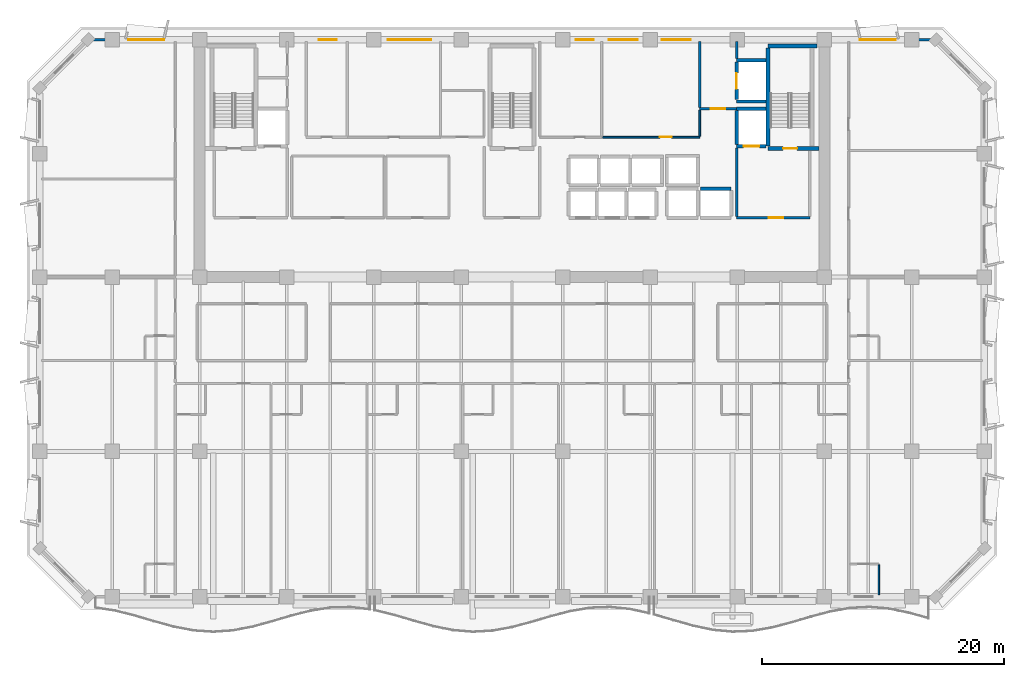
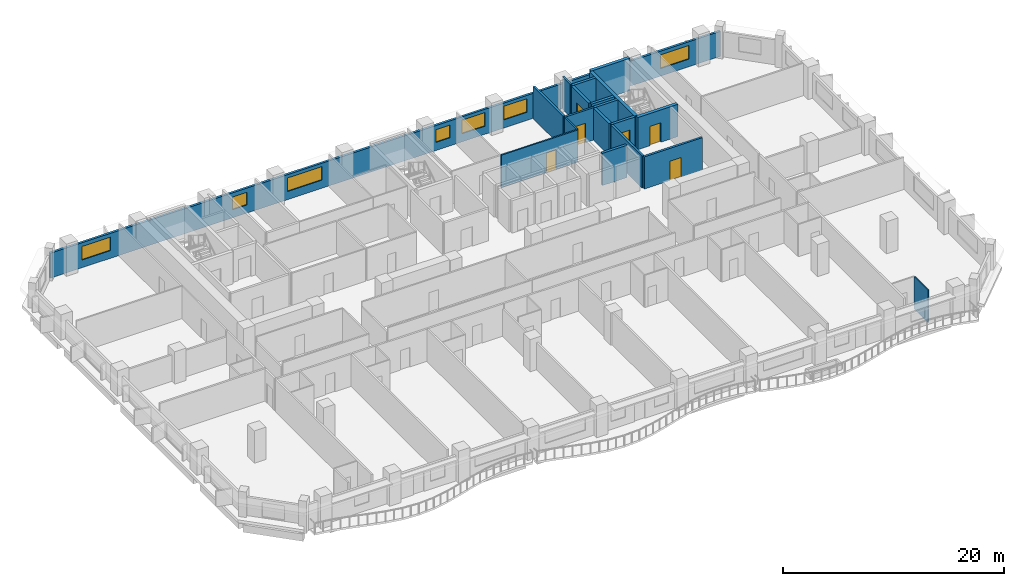
# One storey, part 8 of 15: 19 walls, 7 windows, 6 doors, 13 openings.
"""IFC4 building model written with IfcOpenShell, lengths in metres."""

from ifc_helpers import new_model, si_unit, direction, frame, frame_2d, origin, place, context, subcontext, project, spatial, rectangle, extrude, material, layer, layer_set, type_object, element, fill, save


model = new_model("IFC4")

# Units and contexts
model_context = context("Model", 3, precision=1e-05, world=origin(), true_north=direction((0.0, 1.0)))
body_context = subcontext(model_context, "Body", "Model", "MODEL_VIEW")
ifc_project = project(units=[si_unit("LENGTHUNIT", "METRE"), si_unit("AREAUNIT", "SQUARE_METRE"), si_unit("VOLUMEUNIT", "CUBIC_METRE"), si_unit("PLANEANGLEUNIT", "RADIAN"), si_unit("MASSUNIT", "GRAM", prefix="KILO")], contexts=[model_context])

# Site, building, storey
site_placement = place(None, origin())
site = spatial("IfcSite", under=ifc_project, at=site_placement, CompositionType="ELEMENT")
building_placement = place(site_placement, origin())
building = spatial("IfcBuilding", under=site, at=building_placement, Name="Kaelvorn Grand Hotel", CompositionType="ELEMENT")
storey_placement = place(building_placement, frame((0.0, 0.0, 177.14990234375)))
storey = spatial("IfcBuildingStorey", under=building, at=storey_placement, Name="L43", CompositionType="ELEMENT", Elevation=177.14990234375)

# Wall, openings, windows
ifc_material_1 = material(Name="Concrete C40/50", Category="concrete")
ifc_layer_1 = layer(ifc_material_1, 0.239990234375)
ifc_layer_set_1 = layer_set([ifc_layer_1], Name="Concrete C40/50")
wall_type_1 = type_object("IfcWallType", Name="WL-EXT-240-C40", PredefinedType="SOLIDWALL", material=ifc_layer_set_1)
wall_1_placement = place(storey_placement, frame((77.0, 49.0, 0.0), z_axis=(0.0, 0.0, 1.0), x_axis=(-1.0, 0.0, 0.0)))
wall_1 = element("IfcWall", 1, at=wall_1_placement, inside=storey, type_object=wall_type_1, Name="L43 Exterior Architectural Concrete Wall 05", PredefinedType="SOLIDWALL", context=body_context, shape_type="SweptSolid", body=[
    extrude(rectangle(XDim=70.0, YDim=0.239990234375, at=frame_2d((35.0, 0.0))), origin(), (0.0, 0.0, 1.0), 2.760009765625),
])
opening_1_placement = place(wall_1_placement, frame((63.699951171875, 0.0, 0.85009765625)))
opening_1 = element("IfcOpeningElement", 2, at=opening_1_placement, cuts=wall_1, Name="Opening W5", PredefinedType="OPENING", context=body_context, shape_type="SweptSolid", body=[
    extrude(rectangle(XDim=3.0, YDim=1.5, at=frame_2d((1.5, 0.75))), frame((0.0, 0.1298828125, 0.0), z_axis=(0.0, -1.0, 0.0), x_axis=(1.0, 0.0, 0.0)), (0.0, 0.0, 1.0), 0.260009765625),
])
opening_2_placement = place(wall_1_placement, frame((3.300048828125, 0.0, 0.85009765625)))
opening_2 = element("IfcOpeningElement", 3, at=opening_2_placement, cuts=wall_1, Name="Opening W5", PredefinedType="OPENING", context=body_context, shape_type="SweptSolid", body=[
    extrude(rectangle(XDim=3.0, YDim=1.5, at=frame_2d((1.5, 0.75))), frame((0.0, 0.1298828125, 0.0), z_axis=(0.0, -1.0, 0.0), x_axis=(1.0, 0.0, 0.0)), (0.0, 0.0, 1.0), 0.260009765625),
])
opening_3_placement = place(wall_1_placement, frame((49.465087890625, 0.0, 0.89990234375)))
opening_3 = element("IfcOpeningElement", 4, at=opening_3_placement, cuts=wall_1, Name="Opening W10", PredefinedType="OPENING", context=body_context, shape_type="SweptSolid", body=[
    extrude(rectangle(XDim=1.5, YDim=1.39990234375, at=frame_2d((0.75, 0.699951171875))), frame((0.0, 0.1298828125, 0.0), z_axis=(0.0, -1.0, 0.0), x_axis=(1.0, 0.0, 0.0)), (0.0, 0.0, 1.0), 0.260009765625),
])
opening_4_placement = place(wall_1_placement, frame((41.64990234375, 0.0, 0.89990234375)))
opening_4 = element("IfcOpeningElement", 5, at=opening_4_placement, cuts=wall_1, Name="Opening W3", PredefinedType="OPENING", context=body_context, shape_type="SweptSolid", body=[
    extrude(rectangle(XDim=3.60009765625, YDim=1.5, at=frame_2d((1.800048828125, 0.75))), frame((0.0, 0.1298828125, 0.0), z_axis=(0.0, -1.0, 0.0), x_axis=(1.0, 0.0, 0.0)), (0.0, 0.0, 1.0), 0.260009765625),
])
opening_5_placement = place(wall_1_placement, frame((28.25, 0.0, 0.89990234375)))
opening_5 = element("IfcOpeningElement", 6, at=opening_5_placement, cuts=wall_1, Name="Opening W10", PredefinedType="OPENING", context=body_context, shape_type="SweptSolid", body=[
    extrude(rectangle(XDim=1.5, YDim=1.39990234375, at=frame_2d((0.75, 0.699951171875))), frame((0.0, 0.1298828125, 0.0), z_axis=(0.0, -1.0, 0.0), x_axis=(1.0, 0.0, 0.0)), (0.0, 0.0, 1.0), 0.260009765625),
])
opening_6_placement = place(wall_1_placement, frame((24.60009765625, 0.0, 0.89990234375)))
opening_6 = element("IfcOpeningElement", 7, at=opening_6_placement, cuts=wall_1, Name="Opening W6", PredefinedType="OPENING", context=body_context, shape_type="SweptSolid", body=[
    extrude(rectangle(XDim=2.39990234375, YDim=1.5, at=frame_2d((1.199951171875, 0.75))), frame((0.0, 0.1298828125, 0.0), z_axis=(0.0, -1.0, 0.0), x_axis=(1.0, 0.0, 0.0)), (0.0, 0.0, 1.0), 0.260009765625),
])
opening_7_placement = place(wall_1_placement, frame((20.235107421875, 0.0, 0.89990234375)))
opening_7 = element("IfcOpeningElement", 8, at=opening_7_placement, cuts=wall_1, Name="Opening W6", PredefinedType="OPENING", context=body_context, shape_type="SweptSolid", body=[
    extrude(rectangle(XDim=2.39990234375, YDim=1.5, at=frame_2d((1.199951171875, 0.75))), frame((0.0, 0.1298828125, 0.0), z_axis=(0.0, -1.0, 0.0), x_axis=(1.0, 0.0, 0.0)), (0.0, 0.0, 1.0), 0.260009765625),
])
ifc_material_2 = material(Name="Laminated Low-E Glass", Category="glass")
window_type_1 = type_object("IfcWindowType", Name="WIN-COR-1500x1400", PartitioningType="SINGLE_PANEL", PredefinedType="WINDOW", material=ifc_material_2)
window_1_placement = place(opening_3_placement, origin())
window_1 = element("IfcWindow", 9, at=window_1_placement, inside=storey, type_object=window_type_1, Name="L43 North Core Clerestory Ribbon Window NC03", OverallHeight=1.39990234375, OverallWidth=1.5, PartitioningType="SINGLE_PANEL", PredefinedType="WINDOW", context=body_context, shape_type="SweptSolid", body=[
    extrude(rectangle(XDim=1.5, YDim=1.39990234375, at=frame_2d((0.75, 0.699951171875))), frame((0.0, 0.030029296875, 0.0), z_axis=(0.0, -1.0, 0.0), x_axis=(1.0, 0.0, 0.0)), (0.0, 0.0, 1.0), 0.06005859375),
])
fill(opening_3, window_1)
window_2_placement = place(opening_5_placement, origin())
window_2 = element("IfcWindow", 10, at=window_2_placement, inside=storey, type_object=window_type_1, Name="L43 North Core Clerestory Ribbon Window NC05", OverallHeight=1.39990234375, OverallWidth=1.5, PartitioningType="SINGLE_PANEL", PredefinedType="WINDOW", context=body_context, shape_type="SweptSolid", body=[
    extrude(rectangle(XDim=1.5, YDim=1.39990234375, at=frame_2d((0.75, 0.699951171875))), frame((0.0, 0.030029296875, 0.0), z_axis=(0.0, -1.0, 0.0), x_axis=(1.0, 0.0, 0.0)), (0.0, 0.0, 1.0), 0.06005859375),
])
fill(opening_5, window_2)
window_type_2 = type_object("IfcWindowType", Name="WIN-NTH-2400x1500", PartitioningType="SINGLE_PANEL", PredefinedType="WINDOW", material=ifc_material_2)
window_3_placement = place(opening_6_placement, origin())
window_3 = element("IfcWindow", 11, at=window_3_placement, inside=storey, type_object=window_type_2, Name="L43 North Core Clerestory Ribbon Window NC06", OverallHeight=1.5, OverallWidth=2.39990234375, PartitioningType="SINGLE_PANEL", PredefinedType="WINDOW", context=body_context, shape_type="SweptSolid", body=[
    extrude(rectangle(XDim=2.39990234375, YDim=1.5, at=frame_2d((1.199951171875, 0.75))), frame((0.0, 0.030029296875, 0.0), z_axis=(0.0, -1.0, 0.0), x_axis=(1.0, 0.0, 0.0)), (0.0, 0.0, 1.0), 0.06005859375),
])
fill(opening_6, window_3)
window_4_placement = place(opening_7_placement, origin())
window_4 = element("IfcWindow", 12, at=window_4_placement, inside=storey, type_object=window_type_2, Name="L43 North Core Clerestory Ribbon Window NC07", OverallHeight=1.5, OverallWidth=2.39990234375, PartitioningType="SINGLE_PANEL", PredefinedType="WINDOW", context=body_context, shape_type="SweptSolid", body=[
    extrude(rectangle(XDim=2.39990234375, YDim=1.5, at=frame_2d((1.199951171875, 0.75))), frame((0.0, 0.030029296875, 0.0), z_axis=(0.0, -1.0, 0.0), x_axis=(1.0, 0.0, 0.0)), (0.0, 0.0, 1.0), 0.06005859375),
])
fill(opening_7, window_4)
window_type_3 = type_object("IfcWindowType", Name="WIN-NTH-3000x1500", PartitioningType="SINGLE_PANEL", PredefinedType="WINDOW", material=ifc_material_2)
window_5_placement = place(opening_1_placement, origin())
window_5 = element("IfcWindow", 13, at=window_5_placement, inside=storey, type_object=window_type_3, Name="L43 North Wing Ribbon Window NW01", OverallHeight=1.5, OverallWidth=3.0, PartitioningType="SINGLE_PANEL", PredefinedType="WINDOW", context=body_context, shape_type="SweptSolid", body=[
    extrude(rectangle(XDim=3.0, YDim=1.5, at=frame_2d((1.5, 0.75))), frame((0.0, 0.030029296875, 0.0), z_axis=(0.0, -1.0, 0.0), x_axis=(1.0, 0.0, 0.0)), (0.0, 0.0, 1.0), 0.06005859375),
])
fill(opening_1, window_5)
window_6_placement = place(opening_2_placement, origin())
window_6 = element("IfcWindow", 14, at=window_6_placement, inside=storey, type_object=window_type_3, Name="L43 North Wing Ribbon Window NW02", OverallHeight=1.5, OverallWidth=3.0, PartitioningType="SINGLE_PANEL", PredefinedType="WINDOW", context=body_context, shape_type="SweptSolid", body=[
    extrude(rectangle(XDim=3.0, YDim=1.5, at=frame_2d((1.5, 0.75))), frame((0.0, 0.030029296875, 0.0), z_axis=(0.0, -1.0, 0.0), x_axis=(1.0, 0.0, 0.0)), (0.0, 0.0, 1.0), 0.06005859375),
])
fill(opening_2, window_6)
window_type_4 = type_object("IfcWindowType", Name="WIN-RIB-3600x1750", PartitioningType="SINGLE_PANEL", PredefinedType="WINDOW", material=ifc_material_2)
window_7_placement = place(opening_4_placement, origin())
window_7 = element("IfcWindow", 15, at=window_7_placement, inside=storey, type_object=window_type_4, Name="L43 North Core Clerestory Ribbon Window NC04", OverallHeight=1.5, OverallWidth=3.60009765625, PartitioningType="SINGLE_PANEL", PredefinedType="WINDOW", context=body_context, shape_type="SweptSolid", body=[
    extrude(rectangle(XDim=3.60009765625, YDim=1.5, at=frame_2d((1.800048828125, 0.75))), frame((0.0, 0.030029296875, 0.0), z_axis=(0.0, -1.0, 0.0), x_axis=(1.0, 0.0, 0.0)), (0.0, 0.0, 1.0), 0.06005859375),
])
fill(opening_4, window_7)

# Wall
ifc_material_3 = material(Name="Moisture-Resistant Tile & Stud Board")
ifc_layer_2 = layer(ifc_material_3, 0.125)
ifc_layer_set_2 = layer_set([ifc_layer_2], Name="Moisture-Resistant Tile & Stud Board")
wall_type_2 = type_object("IfcWallType", Name="WL-PART-125-WET", PredefinedType="PARTITIONING", material=ifc_layer_set_2)
wall_2_placement = place(storey_placement, frame((72.300048828125, 3.14990234375, 0.0), z_axis=(0.0, 0.0, 1.0), x_axis=(0.0, 1.0, 0.0)))
element("IfcWall", 16, at=wall_2_placement, inside=storey, type_object=wall_type_2, Name="L43 En-suite Bathroom L43-10 E Partition", PredefinedType="PARTITIONING", context=body_context, shape_type="SweptSolid", body=[
    extrude(rectangle(XDim=2.482666015625, YDim=0.125, at=frame_2d((1.2412109375, 0.0))), origin(), (0.0, 0.0, 1.0), 3.56005859375),
])

# Wall, opening, door
ifc_material_4 = material(Name="Acoustic Gypsum & Stud Partition")
ifc_layer_3 = layer(ifc_material_4, 0.14990234375)
ifc_layer_set_3 = layer_set([ifc_layer_3], Name="Acoustic Gypsum & Stud Partition")
wall_type_3 = type_object("IfcWallType", Name="WL-PART-150-EI60", PredefinedType="PARTITIONING", material=ifc_layer_set_3)
wall_3_placement = place(storey_placement, frame((49.47998046875, 40.949951171875, 0.0), z_axis=(0.0, 0.0, 1.0), x_axis=(1.0, 0.0, 0.0)))
wall_3 = element("IfcWall", 17, at=wall_3_placement, inside=storey, type_object=wall_type_3, Name="L43 Butler Servery Pantry S Partition", PredefinedType="PARTITIONING", context=body_context, shape_type="SweptSolid", body=[
    extrude(rectangle(XDim=8.02001953125, YDim=0.14990234375, at=frame_2d((4.010009765625, 0.0))), origin(), (0.0, 0.0, 1.0), 3.56005859375),
])
opening_8_placement = place(wall_3_placement, frame((4.719970703125, 0.0, 0.0)))
opening_8 = element("IfcOpeningElement", 18, at=opening_8_placement, cuts=wall_3, Name="Opening DI3", PredefinedType="OPENING", context=body_context, shape_type="SweptSolid", body=[
    extrude(rectangle(XDim=1.0, YDim=2.14990234375, at=frame_2d((0.5, 1.074951171875))), frame((0.0, 0.0849609375, 0.0), z_axis=(0.0, -1.0, 0.0), x_axis=(1.0, 0.0, 0.0)), (0.0, 0.0, 1.0), 0.169921875),
])
ifc_material_5 = material(Name="Timber Veneer Fire Leaf", Category="wood")
door_type_1 = type_object("IfcDoorType", Name="DR-INT-GUEST-1000x2150", OperationType="NOTDEFINED", PredefinedType="DOOR", material=ifc_material_5)
door_1_placement = place(opening_8_placement, origin())
door_1 = element("IfcDoor", 19, at=door_1_placement, inside=storey, type_object=door_type_1, Name="L43 Butler Servery Pantry Door", OperationType="SINGLE_SWING_RIGHT", OverallHeight=2.14990234375, OverallWidth=1.0, PredefinedType="DOOR", context=body_context, shape_type="SweptSolid", body=[
    extrude(rectangle(XDim=1.0, YDim=2.14990234375, at=frame_2d((0.5, 1.074951171875))), frame((0.0, 0.02490234375, 0.0), z_axis=(0.0, -1.0, 0.0), x_axis=(1.0, 0.0, 0.0)), (0.0, 0.0, 1.0), 0.050048828125),
])
fill(opening_8, door_1)

# Wall
wall_4_placement = place(storey_placement, frame((57.5, 41.030029296875, 0.0), z_axis=(0.0, 0.0, 1.0), x_axis=(0.0, 1.0, 0.0)))
element("IfcWall", 20, at=wall_4_placement, inside=storey, type_object=wall_type_3, Name="L43 Butler Servery Pantry E Partition", PredefinedType="PARTITIONING", context=body_context, shape_type="SweptSolid", body=[
    extrude(rectangle(XDim=2.155029296875, YDim=0.14990234375, at=frame_2d((1.07763671875, 0.0))), origin(), (0.0, 0.0, 1.0), 3.56005859375),
])

# Wall, opening, door
ifc_layer_4 = layer(ifc_material_1, 0.219970703125)
ifc_layer_set_4 = layer_set([ifc_layer_4], Name="Concrete C40/50")
wall_type_4 = type_object("IfcWallType", Name="WL-PART-220-EI120", PredefinedType="PARTITIONING", material=ifc_layer_set_4)
wall_5_placement = place(storey_placement, frame((60.550048828125, 34.300048828125, 0.0), z_axis=(0.0, 0.0, 1.0), x_axis=(1.0, 0.0, 0.0)))
wall_5 = element("IfcWall", 21, at=wall_5_placement, inside=storey, type_object=wall_type_4, Name="L43 Firefighting Lift Lobby 2 S Partition", PredefinedType="PARTITIONING", context=body_context, shape_type="SweptSolid", body=[
    extrude(rectangle(XDim=6.050048828125, YDim=0.219970703125, at=frame_2d((3.02490234375, 0.0))), origin(), (0.0, 0.0, 1.0), 3.56005859375),
])
opening_9_placement = place(wall_5_placement, frame((2.64990234375, 0.0, 0.0)))
opening_9 = element("IfcOpeningElement", 22, at=opening_9_placement, cuts=wall_5, Name="Opening DI2", PredefinedType="OPENING", context=body_context, shape_type="SweptSolid", body=[
    extrude(rectangle(XDim=1.199951171875, YDim=2.14990234375, at=frame_2d((0.60009765625, 1.074951171875))), frame((0.0, 0.1201171875, 0.0), z_axis=(0.0, -1.0, 0.0), x_axis=(1.0, 0.0, 0.0)), (0.0, 0.0, 1.0), 0.239990234375),
])
door_type_2 = type_object("IfcDoorType", Name="DR-INT-FFLOB-1200x2150", OperationType="NOTDEFINED", PredefinedType="DOOR", material=ifc_material_5)
door_2_placement = place(opening_9_placement, origin())
door_2 = element("IfcDoor", 23, at=door_2_placement, inside=storey, type_object=door_type_2, Name="L43 Firefighting Lift Lobby 2 Door", OperationType="SINGLE_SWING_LEFT", OverallHeight=2.14990234375, OverallWidth=1.199951171875, PredefinedType="DOOR", context=body_context, shape_type="SweptSolid", body=[
    extrude(rectangle(XDim=1.199951171875, YDim=2.14990234375, at=frame_2d((0.60009765625, 1.074951171875))), frame((0.0, 0.02490234375, 0.0), z_axis=(0.0, -1.0, 0.0), x_axis=(1.0, 0.0, 0.0)), (0.0, 0.0, 1.0), 0.050048828125),
])
fill(opening_9, door_2)

# Wall
wall_6_placement = place(storey_placement, frame((60.550048828125, 34.4150390625, 0.0), z_axis=(0.0, 0.0, 1.0), x_axis=(0.0, 1.0, 0.0)))
element("IfcWall", 24, at=wall_6_placement, inside=storey, type_object=wall_type_4, Name="L43 Firefighting Lift Lobby 2 W Partition", PredefinedType="PARTITIONING", context=body_context, shape_type="SweptSolid", body=[
    extrude(rectangle(XDim=5.639892578125, YDim=0.219970703125, at=frame_2d((2.81982421875, 0.0))), origin(), (0.0, 0.0, 1.0), 3.56005859375),
])

# Wall, opening, door
wall_7_placement = place(storey_placement, frame((57.5, 43.300048828125, 0.0), z_axis=(0.0, 0.0, 1.0), x_axis=(1.0, 0.0, 0.0)))
wall_7 = element("IfcWall", 25, at=wall_7_placement, inside=storey, type_object=wall_type_4, Name="L43 Service Lift Lobby S Partition", PredefinedType="PARTITIONING", context=body_context, shape_type="SweptSolid", body=[
    extrude(rectangle(XDim=3.0400390625, YDim=0.219970703125, at=frame_2d((1.52001953125, 0.0))), origin(), (0.0, 0.0, 1.0), 3.56005859375),
])
opening_10_placement = place(wall_7_placement, frame((0.89990234375, 0.0, 0.0)))
opening_10 = element("IfcOpeningElement", 26, at=opening_10_placement, cuts=wall_7, Name="Opening DI2", PredefinedType="OPENING", context=body_context, shape_type="SweptSolid", body=[
    extrude(rectangle(XDim=1.199951171875, YDim=2.14990234375, at=frame_2d((0.60009765625, 1.074951171875))), frame((0.0, 0.1201171875, 0.0), z_axis=(0.0, -1.0, 0.0), x_axis=(1.0, 0.0, 0.0)), (0.0, 0.0, 1.0), 0.239990234375),
])
door_3_placement = place(opening_10_placement, origin())
door_3 = element("IfcDoor", 27, at=door_3_placement, inside=storey, type_object=door_type_2, Name="L43 Service Lift Lobby Door", OperationType="SINGLE_SWING_LEFT", OverallHeight=2.14990234375, OverallWidth=1.199951171875, PredefinedType="DOOR", context=body_context, shape_type="SweptSolid", body=[
    extrude(rectangle(XDim=1.199951171875, YDim=2.14990234375, at=frame_2d((0.60009765625, 1.074951171875))), frame((0.0, 0.02490234375, 0.0), z_axis=(0.0, -1.0, 0.0), x_axis=(1.0, 0.0, 0.0)), (0.0, 0.0, 1.0), 0.050048828125),
])
fill(opening_10, door_3)

# Walls
wall_8_placement = place(storey_placement, frame((57.5, 43.4150390625, 0.0), z_axis=(0.0, 0.0, 1.0), x_axis=(0.0, 1.0, 0.0)))
element("IfcWall", 28, at=wall_8_placement, inside=storey, type_object=wall_type_4, Name="L43 Service Lift Lobby W Partition", PredefinedType="PARTITIONING", context=body_context, shape_type="SweptSolid", body=[
    extrude(rectangle(XDim=5.43505859375, YDim=0.219970703125, at=frame_2d((2.717529296875, 0.0))), origin(), (0.0, 0.0, 1.0), 3.56005859375),
])
wall_9_placement = place(storey_placement, frame((60.550048828125, 47.445068359375, 0.0), z_axis=(0.0, 0.0, 1.0), x_axis=(0.0, 1.0, 0.0)))
element("IfcWall", 29, at=wall_9_placement, inside=storey, type_object=wall_type_4, Name="L43 Service Lift Lobby E Partition", PredefinedType="PARTITIONING", context=body_context, shape_type="SweptSolid", body=[
    extrude(rectangle(XDim=1.405029296875, YDim=0.219970703125, at=frame_2d((0.70263671875, 0.0))), origin(), (0.0, 0.0, 1.0), 3.56005859375),
])
ifc_material_6 = material(Name="Concrete C50/60", Category="concrete")
ifc_layer_5 = layer(ifc_material_6, 0.280029296875)
ifc_layer_set_5 = layer_set([ifc_layer_5], Name="Concrete C50/60")
wall_type_5 = type_object("IfcWallType", Name="WL-SHAFT-280-C50", PredefinedType="SHEAR", material=ifc_layer_set_5)
wall_10_placement = place(storey_placement, frame((57.550048828125, 36.699951171875, 0.0), z_axis=(0.0, 0.0, 1.0), x_axis=(1.0, 0.0, 0.0)))
element("IfcWall", 30, at=wall_10_placement, inside=storey, type_object=wall_type_5, Name="L43 Lift OL-2 Shaft North Wall", PredefinedType="SHEAR", context=body_context, shape_type="SweptSolid", body=[
    extrude(rectangle(XDim=2.550048828125, YDim=0.280029296875, at=frame_2d((1.27490234375, 0.0))), origin(), (0.0, 0.0, 1.0), 3.56005859375),
])

# Wall, opening, door
wall_11_placement = place(storey_placement, frame((60.550048828125, 40.199951171875, 0.0), z_axis=(0.0, 0.0, 1.0), x_axis=(1.0, 0.0, 0.0)))
wall_11 = element("IfcWall", 31, at=wall_11_placement, inside=storey, type_object=wall_type_5, Name="L43 Lift FFL2 Shaft South Wall", PredefinedType="SHEAR", context=body_context, shape_type="SweptSolid", body=[
    extrude(rectangle(XDim=2.4150390625, YDim=0.280029296875, at=frame_2d((1.20751953125, 0.0))), origin(), (0.0, 0.0, 1.0), 3.56005859375),
])
opening_11_placement = place(wall_11_placement, frame((0.574951171875, 0.0, 0.0)))
opening_11 = element("IfcOpeningElement", 32, at=opening_11_placement, cuts=wall_11, Name="Opening LD-FFL2", PredefinedType="OPENING", context=body_context, shape_type="SweptSolid", body=[
    extrude(rectangle(XDim=1.300048828125, YDim=2.300048828125, at=frame_2d((0.64990234375, 1.14990234375))), frame((0.0, 0.14990234375, 0.0), z_axis=(0.0, -1.0, 0.0), x_axis=(1.0, 0.0, 0.0)), (0.0, 0.0, 1.0), 0.300048828125),
])
ifc_material_7 = material(Name="Stainless Steel", Category="steel")
door_type_3 = type_object("IfcDoorType", Name="DR-LIFT-SERV-1300x2300", OperationType="DOUBLE_DOOR_SLIDING", PredefinedType="DOOR", material=ifc_material_7)
door_4_placement = place(opening_11_placement, origin())
door_4 = element("IfcDoor", 33, at=door_4_placement, inside=storey, type_object=door_type_3, Name="L43 Lift FFL2 Sliding Landing Door LD-FFL2", OperationType="DOUBLE_DOOR_SLIDING", OverallHeight=2.300048828125, OverallWidth=1.300048828125, PredefinedType="DOOR", context=body_context, shape_type="SweptSolid", body=[
    extrude(rectangle(XDim=1.300048828125, YDim=2.300048828125, at=frame_2d((0.64990234375, 1.14990234375))), frame((0.0, 0.02490234375, 0.0), z_axis=(0.0, -1.0, 0.0), x_axis=(1.0, 0.0, 0.0)), (0.0, 0.0, 1.0), 0.050048828125),
])
fill(opening_11, door_4)

# Walls
wall_12_placement = place(storey_placement, frame((60.550048828125, 43.300048828125, 0.0), z_axis=(0.0, 0.0, 1.0), x_axis=(1.0, 0.0, 0.0)))
element("IfcWall", 34, at=wall_12_placement, inside=storey, type_object=wall_type_5, Name="L43 Lift FFL2 Shaft North Wall", PredefinedType="SHEAR", context=body_context, shape_type="SweptSolid", body=[
    extrude(rectangle(XDim=2.4150390625, YDim=0.280029296875, at=frame_2d((1.20751953125, 0.0))), origin(), (0.0, 0.0, 1.0), 3.56005859375),
])
wall_13_placement = place(storey_placement, frame((60.550048828125, 40.344970703125, 0.0), z_axis=(0.0, 0.0, 1.0), x_axis=(0.0, 1.0, 0.0)))
element("IfcWall", 35, at=wall_13_placement, inside=storey, type_object=wall_type_5, Name="L43 Lift FFL2 Shaft West Wall", PredefinedType="SHEAR", context=body_context, shape_type="SweptSolid", body=[
    extrude(rectangle(XDim=2.81005859375, YDim=0.280029296875, at=frame_2d((1.405029296875, 0.0))), origin(), (0.0, 0.0, 1.0), 3.56005859375),
])
for number, where, z_axis, x_axis, name in (
    (36, (60.550048828125, 43.89990234375, 0.0), (0.0, 0.0, 1.0), (1.0, 0.0, 0.0), "L43 Lift SV1 Shaft South Wall"),
    (37, (60.550048828125, 47.300048828125, 0.0), (0.0, 0.0, 1.0), (1.0, 0.0, 0.0), "L43 Lift SV1 Shaft North Wall"),
):
    element("IfcWall", number, at=place(storey_placement, frame(where, z_axis=z_axis, x_axis=x_axis)), inside=storey, type_object=wall_type_5, Name=name, PredefinedType="SHEAR", context=body_context, shape_type="SweptSolid", body=[
        extrude(rectangle(XDim=2.4150390625, YDim=0.280029296875, at=frame_2d((1.20751953125, 0.0))), origin(), (0.0, 0.0, 1.0), 3.56005859375),
    ])

# Wall, opening, door
wall_14_placement = place(storey_placement, frame((60.550048828125, 44.044921875, 0.0), z_axis=(0.0, 0.0, 1.0), x_axis=(0.0, 1.0, 0.0)))
wall_14 = element("IfcWall", 38, at=wall_14_placement, inside=storey, type_object=wall_type_5, Name="L43 Lift SV1 Shaft West Wall", PredefinedType="SHEAR", context=body_context, shape_type="SweptSolid", body=[
    extrude(rectangle(XDim=3.110107421875, YDim=0.280029296875, at=frame_2d((1.55517578125, 0.0))), origin(), (0.0, 0.0, 1.0), 3.56005859375),
])
opening_12_placement = place(wall_14_placement, frame((0.905029296875, 0.0, 0.0)))
opening_12 = element("IfcOpeningElement", 39, at=opening_12_placement, cuts=wall_14, Name="Opening LD-SV1", PredefinedType="OPENING", context=body_context, shape_type="SweptSolid", body=[
    extrude(rectangle(XDim=1.300048828125, YDim=2.300048828125, at=frame_2d((0.64990234375, 1.14990234375))), frame((0.0, 0.14990234375, 0.0), z_axis=(0.0, -1.0, 0.0), x_axis=(1.0, 0.0, 0.0)), (0.0, 0.0, 1.0), 0.300048828125),
])
door_5_placement = place(opening_12_placement, origin())
door_5 = element("IfcDoor", 40, at=door_5_placement, inside=storey, type_object=door_type_3, Name="L43 Lift SV1 Sliding Landing Door LD-SV1", OperationType="DOUBLE_DOOR_SLIDING", OverallHeight=2.300048828125, OverallWidth=1.300048828125, PredefinedType="DOOR", context=body_context, shape_type="SweptSolid", body=[
    extrude(rectangle(XDim=1.300048828125, YDim=2.300048828125, at=frame_2d((0.64990234375, 1.14990234375))), frame((0.0, 0.02490234375, 0.0), z_axis=(0.0, -1.0, 0.0), x_axis=(1.0, 0.0, 0.0)), (0.0, 0.0, 1.0), 0.050048828125),
])
fill(opening_12, door_5)

ifc_material_8 = material(Name="Concrete C60/75", Category="concrete")
ifc_layer_6 = layer(ifc_material_8, 0.35009765625)
ifc_layer_set_6 = layer_set([ifc_layer_6], Name="Concrete C60/75")
wall_type_6 = type_object("IfcWallType", Name="WL-SHAFT-350-C60", PredefinedType="SHEAR", material=ifc_layer_set_6)
wall_15_placement = place(storey_placement, frame((63.14501953125, 40.02490234375, 0.0), z_axis=(0.0, 0.0, 1.0), x_axis=(1.0, 0.0, 0.0)))
wall_15 = element("IfcWall", 41, at=wall_15_placement, inside=storey, type_object=wall_type_6, Name="L43 ST3 Stair Shaft South Wall", PredefinedType="SHEAR", context=body_context, shape_type="SweptSolid", body=[
    extrude(rectangle(XDim=4.199951171875, YDim=0.35009765625, at=frame_2d((2.10009765625, 0.0))), origin(), (0.0, 0.0, 1.0), 3.56005859375),
])
opening_13_placement = place(wall_15_placement, frame((1.239990234375, 0.0, 0.0)))
opening_13 = element("IfcOpeningElement", 42, at=opening_13_placement, cuts=wall_15, Name="Opening DI1", PredefinedType="OPENING", context=body_context, shape_type="SweptSolid", body=[
    extrude(rectangle(XDim=1.14990234375, YDim=2.14990234375, at=frame_2d((0.574951171875, 1.074951171875))), frame((0.0, 0.18505859375, 0.0), z_axis=(0.0, -1.0, 0.0), x_axis=(1.0, 0.0, 0.0)), (0.0, 0.0, 1.0), 0.3701171875),
])
door_type_4 = type_object("IfcDoorType", Name="DR-INT-STAIR-1150x2150", OperationType="NOTDEFINED", PredefinedType="DOOR", material=ifc_material_5)
door_6_placement = place(opening_13_placement, origin())
door_6 = element("IfcDoor", 43, at=door_6_placement, inside=storey, type_object=door_type_4, Name="L43 ST3 Exit Stair Fire Door", OperationType="SINGLE_SWING_LEFT", OverallHeight=2.14990234375, OverallWidth=1.14990234375, PredefinedType="DOOR", context=body_context, shape_type="SweptSolid", body=[
    extrude(rectangle(XDim=1.14990234375, YDim=2.14990234375, at=frame_2d((0.574951171875, 1.074951171875))), frame((0.0, 0.02490234375, 0.0), z_axis=(0.0, -1.0, 0.0), x_axis=(1.0, 0.0, 0.0)), (0.0, 0.0, 1.0), 0.050048828125),
])
fill(opening_13, door_6)

# Walls
wall_16_placement = place(storey_placement, frame((63.14501953125, 48.47509765625, 0.0), z_axis=(0.0, 0.0, 1.0), x_axis=(1.0, 0.0, 0.0)))
element("IfcWall", 44, at=wall_16_placement, inside=storey, type_object=wall_type_6, Name="L43 ST3 Stair Shaft North Wall", PredefinedType="SHEAR", context=body_context, shape_type="SweptSolid", body=[
    extrude(rectangle(XDim=4.050048828125, YDim=0.35009765625, at=frame_2d((2.02490234375, 0.0))), origin(), (0.0, 0.0, 1.0), 3.56005859375),
])
wall_17_placement = place(storey_placement, frame((63.14501953125, 40.205078125, 0.0), z_axis=(0.0, 0.0, 1.0), x_axis=(0.0, 1.0, 0.0)))
element("IfcWall", 45, at=wall_17_placement, inside=storey, type_object=wall_type_6, Name="L43 ST3 Stair Shaft West Wall", PredefinedType="SHEAR", context=body_context, shape_type="SweptSolid", body=[
    extrude(rectangle(XDim=8.08984375, YDim=0.35009765625, at=frame_2d((4.044921875, 0.0))), origin(), (0.0, 0.0, 1.0), 3.56005859375),
])

save(model, "model.ifc")
